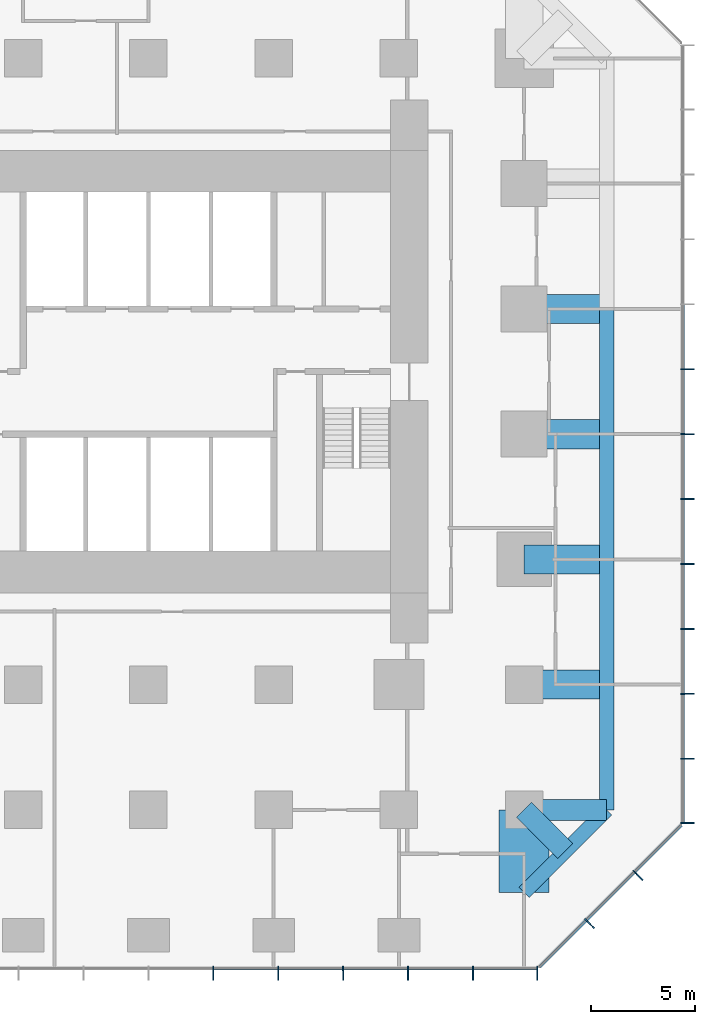
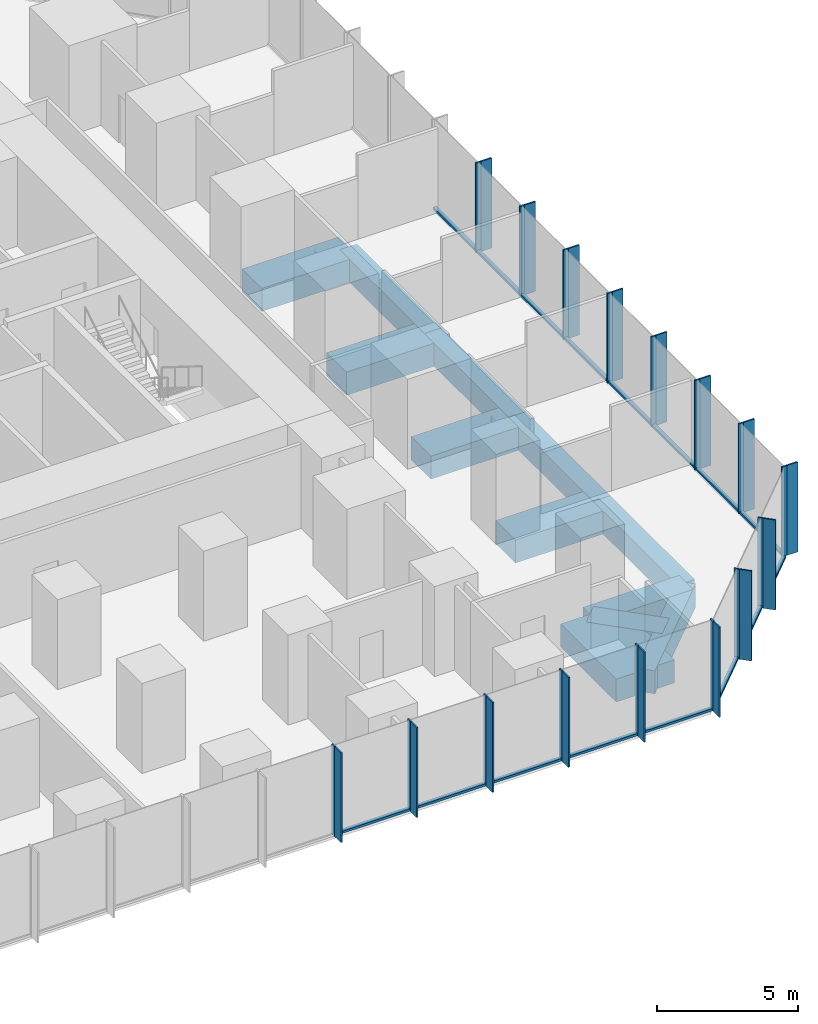
# One storey, part 4 of 12: 48 members, 12 beams, 3 elements without a shape of their own.
"""IFC4 building model written with IfcOpenShell, lengths in metres."""

from ifc_helpers import new_model, si_unit, direction, frame, origin, origin_2d, place, context, subcontext, project, spatial, rectangle, extrude, material, layer, layer_set, material_profile, profile_set, type_object, element, aggregate, save


model = new_model("IFC4")

# Units and contexts
model_context = context("Model", 3, precision=1e-05, world=origin(), true_north=direction((0.0, 1.0)))
body_context = subcontext(model_context, "Body", "Model", "MODEL_VIEW")
ifc_project = project(units=[si_unit("LENGTHUNIT", "METRE"), si_unit("AREAUNIT", "SQUARE_METRE"), si_unit("VOLUMEUNIT", "CUBIC_METRE"), si_unit("PLANEANGLEUNIT", "RADIAN"), si_unit("MASSUNIT", "GRAM", prefix="KILO")], contexts=[model_context])

# Site, building, storey
site_placement = place(None, origin())
site = spatial("IfcSite", under=ifc_project, at=site_placement, CompositionType="ELEMENT")
building_placement = place(site_placement, origin())
building = spatial("IfcBuilding", under=site, at=building_placement, Name="Highveld Stack Headquarters", CompositionType="ELEMENT")
storey_placement = place(building_placement, frame((0.0, 0.0, 41.60009765625)))
storey = spatial("IfcBuildingStorey", under=building, at=storey_placement, Name="L09", CompositionType="ELEMENT", Elevation=41.60009765625)

# Beams
ifc_material_1 = material(Name="Concrete C60/75", Category="concrete")
ifc_material_profile_1 = material_profile(ifc_material_1, rectangle(XDim=1.0, YDim=1.0, at=origin_2d()), Name="RC 1000x1000")
ifc_profile_set_1 = profile_set([ifc_material_profile_1], Name="Concrete C60/75")
beam_type_1 = type_object("IfcBeamType", Name="CANTILEVER RIB RC 1000x1000", PredefinedType="USERDEFINED", material=ifc_profile_set_1)
beam_1_placement = place(storey_placement, frame((24.0, -18.0, -0.75), z_axis=(1.0, 0.0, 0.0), x_axis=(0.0, 1.0, 0.0)))
element("IfcBeam", 1, at=beam_1_placement, inside=storey, type_object=beam_type_1, Name="Cantilever rib 10/B L09", ObjectType="CANTILEVER RIB", PredefinedType="USERDEFINED", context=body_context, shape_type="SweptSolid", body=[
    extrude(rectangle(XDim=1.0, YDim=1.0, at=origin_2d()), origin(), (0.0, 0.0, 1.0), 3.949951171875),
])
beam_2_placement = place(storey_placement, frame((24.0, -18.0, -0.75), z_axis=(0.707106781187, -0.707106781187, 0.0), x_axis=(0.707106781187, 0.707106781187, 0.0)))
element("IfcBeam", 2, at=beam_2_placement, inside=storey, type_object=beam_type_1, Name="Cantilever rib 10/B L09", ObjectType="CANTILEVER RIB", PredefinedType="USERDEFINED", context=body_context, shape_type="SweptSolid", body=[
    extrude(rectangle(XDim=1.0, YDim=1.0, at=origin_2d()), origin(), (0.0, 0.0, 1.0), 2.793212890625),
])
ifc_material_2 = material(Name="Concrete C60/75", Category="concrete")
ifc_material_profile_2 = material_profile(ifc_material_2, rectangle(XDim=1.39990234375, YDim=1.0, at=origin_2d()), Name="RC 1400x1000")
ifc_profile_set_2 = profile_set([ifc_material_profile_2], Name="Concrete C60/75")
beam_type_2 = type_object("IfcBeamType", Name="CANTILEVER RIB RC 1400x1000", PredefinedType="USERDEFINED", material=ifc_profile_set_2)
for number, where, z_axis, x_axis, name in (
    (3, (24.0, -12.0, -0.75), (1.0, 0.0, 0.0), (0.0, 1.0, 0.0), "Cantilever rib 10/C L09"),
    (4, (24.0, -6.0, -0.75), (1.0, 0.0, 0.0), (0.0, 1.0, 0.0), "Cantilever rib 10/D L09"),
    (5, (24.0, 0.0, -0.75), (1.0, 0.0, 0.0), (0.0, 1.0, 0.0), "Cantilever rib 10/E L09"),
    (6, (24.0, 6.0, -0.75), (1.0, 0.0, 0.0), (0.0, 1.0, 0.0), "Cantilever rib 10/F L09"),
):
    element("IfcBeam", number, at=place(storey_placement, frame(where, z_axis=z_axis, x_axis=x_axis)), inside=storey, type_object=beam_type_2, Name=name, ObjectType="CANTILEVER RIB", PredefinedType="USERDEFINED", context=body_context, shape_type="SweptSolid", body=[
        extrude(rectangle(XDim=1.39990234375, YDim=1.0, at=origin_2d()), origin(), (0.0, 0.0, 1.0), 3.949951171875),
    ])
ifc_material_3 = material(Name="Concrete C60/75", Category="concrete")
ifc_material_profile_3 = material_profile(ifc_material_3, rectangle(XDim=2.39990234375, YDim=1.0, at=origin_2d()), Name="RC 2400x1000")
ifc_profile_set_3 = profile_set([ifc_material_profile_3], Name="Concrete C60/75")
beam_type_3 = type_object("IfcBeamType", Name="CANTILEVER RIB RC 2400x1000", PredefinedType="USERDEFINED", material=ifc_profile_set_3)
beam_3_placement = place(storey_placement, frame((24.0, -18.0, -0.75), z_axis=(0.0, -1.0, 0.0), x_axis=(1.0, 0.0, 0.0)))
element("IfcBeam", 7, at=beam_3_placement, inside=storey, type_object=beam_type_3, Name="Cantilever rib 10/B L09", ObjectType="CANTILEVER RIB", PredefinedType="USERDEFINED", context=body_context, shape_type="SweptSolid", body=[
    extrude(rectangle(XDim=2.39990234375, YDim=1.0, at=origin_2d()), origin(), (0.0, 0.0, 1.0), 3.949951171875),
])

# Curtain wall, members
ifc_material_4 = material(Name="Aluminium bronze anodised", Category="aluminium")
ifc_layer_1 = layer(ifc_material_4, 0.199951171875)
ifc_layer_set_1 = layer_set([ifc_layer_1], Name="Aluminium bronze anodised")
curtain_wall_type_1 = type_object("IfcCurtainWallType", Name="CW1 TOWER UNITISED CURTAIN WALL", PredefinedType="NOTDEFINED", material=ifc_layer_set_1)
curtain_wall_1_placement = place(storey_placement, origin())
curtain_wall_1 = element("IfcCurtainWall", 8, at=curtain_wall_1_placement, inside=storey, type_object=curtain_wall_type_1, Name="Curtain wall CW1 L09 S", PredefinedType="NOTDEFINED")
ifc_material_5 = material(Name="Aluminium bronze anodised", Category="aluminium")
ifc_material_profile_4 = material_profile(ifc_material_5, rectangle(XDim=0.449951171875, YDim=0.06005859375, at=origin_2d()), Name="FIN 450x60")
ifc_profile_set_4 = profile_set([ifc_material_profile_4], Name="Aluminium bronze anodised")
member_type_1 = type_object("IfcMemberType", Name="CW1 BRONZE FIN 450x60", PredefinedType="USERDEFINED", material=ifc_profile_set_4)
member_1_placement = place(storey_placement, frame((9.110595703125, -25.925048828125, 0.0), z_axis=(0.0, 0.0, 1.0), x_axis=(0.0, 1.0, 0.0)))
member_1 = element("IfcMember", 9, at=member_1_placement, type_object=member_type_1, Name="CW1 fin L09 8", ObjectType="FIN", PredefinedType="USERDEFINED", context=body_context, shape_type="SweptSolid", body=[
    extrude(rectangle(XDim=0.449951171875, YDim=0.06005859375, at=origin_2d()), origin(), (0.0, 0.0, 1.0), 3.89990234375),
])
member_2_placement = place(storey_placement, frame((12.220947265625, -25.925048828125, 0.0), z_axis=(0.0, 0.0, 1.0), x_axis=(0.0, 1.0, 0.0)))
member_2 = element("IfcMember", 10, at=member_2_placement, type_object=member_type_1, Name="CW1 fin L09 9", ObjectType="FIN", PredefinedType="USERDEFINED", context=body_context, shape_type="SweptSolid", body=[
    extrude(rectangle(XDim=0.449951171875, YDim=0.06005859375, at=origin_2d()), origin(), (0.0, 0.0, 1.0), 3.89990234375),
])
member_3_placement = place(storey_placement, frame((15.331298828125, -25.925048828125, 0.0), z_axis=(0.0, 0.0, 1.0), x_axis=(0.0, 1.0, 0.0)))
member_3 = element("IfcMember", 11, at=member_3_placement, type_object=member_type_1, Name="CW1 fin L09 10", ObjectType="FIN", PredefinedType="USERDEFINED", context=body_context, shape_type="SweptSolid", body=[
    extrude(rectangle(XDim=0.449951171875, YDim=0.06005859375, at=origin_2d()), origin(), (0.0, 0.0, 1.0), 3.89990234375),
])
member_4_placement = place(storey_placement, frame((18.44189453125, -25.925048828125, 0.0), z_axis=(0.0, 0.0, 1.0), x_axis=(0.0, 1.0, 0.0)))
member_4 = element("IfcMember", 12, at=member_4_placement, type_object=member_type_1, Name="CW1 fin L09 11", ObjectType="FIN", PredefinedType="USERDEFINED", context=body_context, shape_type="SweptSolid", body=[
    extrude(rectangle(XDim=0.449951171875, YDim=0.06005859375, at=origin_2d()), origin(), (0.0, 0.0, 1.0), 3.89990234375),
])
member_5_placement = place(storey_placement, frame((21.55224609375, -25.925048828125, 0.0), z_axis=(0.0, 0.0, 1.0), x_axis=(0.0, 1.0, 0.0)))
member_5 = element("IfcMember", 13, at=member_5_placement, type_object=member_type_1, Name="CW1 fin L09 12", ObjectType="FIN", PredefinedType="USERDEFINED", context=body_context, shape_type="SweptSolid", body=[
    extrude(rectangle(XDim=0.449951171875, YDim=0.06005859375, at=origin_2d()), origin(), (0.0, 0.0, 1.0), 3.89990234375),
])
member_6_placement = place(storey_placement, frame((24.630126953125, -25.925048828125, 0.0), z_axis=(0.0, 0.0, 1.0), x_axis=(0.0, 1.0, 0.0)))
member_6 = element("IfcMember", 14, at=member_6_placement, type_object=member_type_1, Name="CW1 fin L09 13", ObjectType="FIN", PredefinedType="USERDEFINED", context=body_context, shape_type="SweptSolid", body=[
    extrude(rectangle(XDim=0.449951171875, YDim=0.06005859375, at=origin_2d()), origin(), (0.0, 0.0, 1.0), 3.89990234375),
])

curtain_wall_2_placement = place(storey_placement, origin())
curtain_wall_2 = element("IfcCurtainWall", 15, at=curtain_wall_2_placement, inside=storey, type_object=curtain_wall_type_1, Name="Curtain wall CW1 L09 E", PredefinedType="NOTDEFINED")
member_7_placement = place(storey_placement, frame((31.925048828125, -18.630126953125, 0.0), z_axis=(0.0, 0.0, 1.0), x_axis=(-1.0, 0.0, 0.0)))
member_7 = element("IfcMember", 16, at=member_7_placement, type_object=member_type_1, Name="CW1 fin L09 1", ObjectType="FIN", PredefinedType="USERDEFINED", context=body_context, shape_type="SweptSolid", body=[
    extrude(rectangle(XDim=0.449951171875, YDim=0.06005859375, at=origin_2d()), origin(), (0.0, 0.0, 1.0), 3.89990234375),
])
member_8_placement = place(storey_placement, frame((31.925048828125, -15.55224609375, 0.0), z_axis=(0.0, 0.0, 1.0), x_axis=(-1.0, 0.0, 0.0)))
member_8 = element("IfcMember", 17, at=member_8_placement, type_object=member_type_1, Name="CW1 fin L09 2", ObjectType="FIN", PredefinedType="USERDEFINED", context=body_context, shape_type="SweptSolid", body=[
    extrude(rectangle(XDim=0.449951171875, YDim=0.06005859375, at=origin_2d()), origin(), (0.0, 0.0, 1.0), 3.89990234375),
])
member_9_placement = place(storey_placement, frame((31.925048828125, -12.44189453125, 0.0), z_axis=(0.0, 0.0, 1.0), x_axis=(-1.0, 0.0, 0.0)))
member_9 = element("IfcMember", 18, at=member_9_placement, type_object=member_type_1, Name="CW1 fin L09 3", ObjectType="FIN", PredefinedType="USERDEFINED", context=body_context, shape_type="SweptSolid", body=[
    extrude(rectangle(XDim=0.449951171875, YDim=0.06005859375, at=origin_2d()), origin(), (0.0, 0.0, 1.0), 3.89990234375),
])
member_10_placement = place(storey_placement, frame((31.925048828125, -9.331298828125, 0.0), z_axis=(0.0, 0.0, 1.0), x_axis=(-1.0, 0.0, 0.0)))
member_10 = element("IfcMember", 19, at=member_10_placement, type_object=member_type_1, Name="CW1 fin L09 4", ObjectType="FIN", PredefinedType="USERDEFINED", context=body_context, shape_type="SweptSolid", body=[
    extrude(rectangle(XDim=0.449951171875, YDim=0.06005859375, at=origin_2d()), origin(), (0.0, 0.0, 1.0), 3.89990234375),
])
member_11_placement = place(storey_placement, frame((31.925048828125, -6.220947265625, 0.0), z_axis=(0.0, 0.0, 1.0), x_axis=(-1.0, 0.0, 0.0)))
member_11 = element("IfcMember", 20, at=member_11_placement, type_object=member_type_1, Name="CW1 fin L09 5", ObjectType="FIN", PredefinedType="USERDEFINED", context=body_context, shape_type="SweptSolid", body=[
    extrude(rectangle(XDim=0.449951171875, YDim=0.06005859375, at=origin_2d()), origin(), (0.0, 0.0, 1.0), 3.89990234375),
])
member_12_placement = place(storey_placement, frame((31.925048828125, -3.110595703125, 0.0), z_axis=(0.0, 0.0, 1.0), x_axis=(-1.0, 0.0, 0.0)))
member_12 = element("IfcMember", 21, at=member_12_placement, type_object=member_type_1, Name="CW1 fin L09 6", ObjectType="FIN", PredefinedType="USERDEFINED", context=body_context, shape_type="SweptSolid", body=[
    extrude(rectangle(XDim=0.449951171875, YDim=0.06005859375, at=origin_2d()), origin(), (0.0, 0.0, 1.0), 3.89990234375),
])
member_13_placement = place(storey_placement, frame((31.925048828125, 0.0, 0.0), z_axis=(0.0, 0.0, 1.0), x_axis=(-1.0, 0.0, 0.0)))
member_13 = element("IfcMember", 22, at=member_13_placement, type_object=member_type_1, Name="CW1 fin L09 7", ObjectType="FIN", PredefinedType="USERDEFINED", context=body_context, shape_type="SweptSolid", body=[
    extrude(rectangle(XDim=0.449951171875, YDim=0.06005859375, at=origin_2d()), origin(), (0.0, 0.0, 1.0), 3.89990234375),
])
member_14_placement = place(storey_placement, frame((31.925048828125, 3.110595703125, 0.0), z_axis=(0.0, 0.0, 1.0), x_axis=(-1.0, 0.0, 0.0)))
member_14 = element("IfcMember", 23, at=member_14_placement, type_object=member_type_1, Name="CW1 fin L09 8", ObjectType="FIN", PredefinedType="USERDEFINED", context=body_context, shape_type="SweptSolid", body=[
    extrude(rectangle(XDim=0.449951171875, YDim=0.06005859375, at=origin_2d()), origin(), (0.0, 0.0, 1.0), 3.89990234375),
])

# Member
ifc_material_6 = material(Name="Aluminium bronze anodised", Category="aluminium")
ifc_material_profile_5 = material_profile(ifc_material_6, rectangle(XDim=0.199951171875, YDim=0.06494140625, at=origin_2d()), Name="CW1 MULLION 65x200")
ifc_profile_set_5 = profile_set([ifc_material_profile_5], Name="Aluminium bronze anodised")
member_type_2 = type_object("IfcMemberType", Name="CW1 MULLION 65x200", PredefinedType="MULLION", material=ifc_profile_set_5)
member_15_placement = place(storey_placement, frame((9.110595703125, -25.60009765625, 0.0), z_axis=(0.0, 0.0, 1.0), x_axis=(0.0, 1.0, 0.0)))
member_15 = element("IfcMember", 24, at=member_15_placement, type_object=member_type_2, Name="CW1 mullion L09 8", PredefinedType="MULLION", context=body_context, shape_type="SweptSolid", body=[
    extrude(rectangle(XDim=0.199951171875, YDim=0.06494140625, at=origin_2d()), origin(), (0.0, 0.0, 1.0), 3.89990234375),
])

member_16_placement = place(storey_placement, frame((12.220947265625, -25.60009765625, 0.0), z_axis=(0.0, 0.0, 1.0), x_axis=(0.0, 1.0, 0.0)))
member_16 = element("IfcMember", 25, at=member_16_placement, type_object=member_type_2, Name="CW1 mullion L09 9", PredefinedType="MULLION", context=body_context, shape_type="SweptSolid", body=[
    extrude(rectangle(XDim=0.199951171875, YDim=0.06494140625, at=origin_2d()), origin(), (0.0, 0.0, 1.0), 3.89990234375),
])

member_17_placement = place(storey_placement, frame((15.331298828125, -25.60009765625, 0.0), z_axis=(0.0, 0.0, 1.0), x_axis=(0.0, 1.0, 0.0)))
member_17 = element("IfcMember", 26, at=member_17_placement, type_object=member_type_2, Name="CW1 mullion L09 10", PredefinedType="MULLION", context=body_context, shape_type="SweptSolid", body=[
    extrude(rectangle(XDim=0.199951171875, YDim=0.06494140625, at=origin_2d()), origin(), (0.0, 0.0, 1.0), 3.89990234375),
])

member_18_placement = place(storey_placement, frame((18.44189453125, -25.60009765625, 0.0), z_axis=(0.0, 0.0, 1.0), x_axis=(0.0, 1.0, 0.0)))
member_18 = element("IfcMember", 27, at=member_18_placement, type_object=member_type_2, Name="CW1 mullion L09 11", PredefinedType="MULLION", context=body_context, shape_type="SweptSolid", body=[
    extrude(rectangle(XDim=0.199951171875, YDim=0.06494140625, at=origin_2d()), origin(), (0.0, 0.0, 1.0), 3.89990234375),
])

member_19_placement = place(storey_placement, frame((21.55224609375, -25.60009765625, 0.0), z_axis=(0.0, 0.0, 1.0), x_axis=(0.0, 1.0, 0.0)))
member_19 = element("IfcMember", 28, at=member_19_placement, type_object=member_type_2, Name="CW1 mullion L09 12", PredefinedType="MULLION", context=body_context, shape_type="SweptSolid", body=[
    extrude(rectangle(XDim=0.199951171875, YDim=0.06494140625, at=origin_2d()), origin(), (0.0, 0.0, 1.0), 3.89990234375),
])

member_20_placement = place(storey_placement, frame((24.630126953125, -25.60009765625, 0.0), z_axis=(0.0, 0.0, 1.0), x_axis=(0.0, 1.0, 0.0)))
member_20 = element("IfcMember", 29, at=member_20_placement, type_object=member_type_2, Name="CW1 mullion L09 13", PredefinedType="MULLION", context=body_context, shape_type="SweptSolid", body=[
    extrude(rectangle(XDim=0.199951171875, YDim=0.06494140625, at=origin_2d()), origin(), (0.0, 0.0, 1.0), 3.89990234375),
])

member_21_placement = place(storey_placement, frame((31.60009765625, -18.630126953125, 0.0), z_axis=(0.0, 0.0, 1.0), x_axis=(-1.0, 0.0, 0.0)))
member_21 = element("IfcMember", 30, at=member_21_placement, type_object=member_type_2, Name="CW1 mullion L09 1", PredefinedType="MULLION", context=body_context, shape_type="SweptSolid", body=[
    extrude(rectangle(XDim=0.199951171875, YDim=0.06494140625, at=origin_2d()), origin(), (0.0, 0.0, 1.0), 3.89990234375),
])

member_22_placement = place(storey_placement, frame((31.60009765625, -15.55224609375, 0.0), z_axis=(0.0, 0.0, 1.0), x_axis=(-1.0, 0.0, 0.0)))
member_22 = element("IfcMember", 31, at=member_22_placement, type_object=member_type_2, Name="CW1 mullion L09 2", PredefinedType="MULLION", context=body_context, shape_type="SweptSolid", body=[
    extrude(rectangle(XDim=0.199951171875, YDim=0.06494140625, at=origin_2d()), origin(), (0.0, 0.0, 1.0), 3.89990234375),
])

member_23_placement = place(storey_placement, frame((31.60009765625, -12.44189453125, 0.0), z_axis=(0.0, 0.0, 1.0), x_axis=(-1.0, 0.0, 0.0)))
member_23 = element("IfcMember", 32, at=member_23_placement, type_object=member_type_2, Name="CW1 mullion L09 3", PredefinedType="MULLION", context=body_context, shape_type="SweptSolid", body=[
    extrude(rectangle(XDim=0.199951171875, YDim=0.06494140625, at=origin_2d()), origin(), (0.0, 0.0, 1.0), 3.89990234375),
])

member_24_placement = place(storey_placement, frame((31.60009765625, -9.331298828125, 0.0), z_axis=(0.0, 0.0, 1.0), x_axis=(-1.0, 0.0, 0.0)))
member_24 = element("IfcMember", 33, at=member_24_placement, type_object=member_type_2, Name="CW1 mullion L09 4", PredefinedType="MULLION", context=body_context, shape_type="SweptSolid", body=[
    extrude(rectangle(XDim=0.199951171875, YDim=0.06494140625, at=origin_2d()), origin(), (0.0, 0.0, 1.0), 3.89990234375),
])

member_25_placement = place(storey_placement, frame((31.60009765625, -6.220947265625, 0.0), z_axis=(0.0, 0.0, 1.0), x_axis=(-1.0, 0.0, 0.0)))
member_25 = element("IfcMember", 34, at=member_25_placement, type_object=member_type_2, Name="CW1 mullion L09 5", PredefinedType="MULLION", context=body_context, shape_type="SweptSolid", body=[
    extrude(rectangle(XDim=0.199951171875, YDim=0.06494140625, at=origin_2d()), origin(), (0.0, 0.0, 1.0), 3.89990234375),
])

member_26_placement = place(storey_placement, frame((31.60009765625, -3.110595703125, 0.0), z_axis=(0.0, 0.0, 1.0), x_axis=(-1.0, 0.0, 0.0)))
member_26 = element("IfcMember", 35, at=member_26_placement, type_object=member_type_2, Name="CW1 mullion L09 6", PredefinedType="MULLION", context=body_context, shape_type="SweptSolid", body=[
    extrude(rectangle(XDim=0.199951171875, YDim=0.06494140625, at=origin_2d()), origin(), (0.0, 0.0, 1.0), 3.89990234375),
])

member_27_placement = place(storey_placement, frame((31.60009765625, 0.0, 0.0), z_axis=(0.0, 0.0, 1.0), x_axis=(-1.0, 0.0, 0.0)))
member_27 = element("IfcMember", 36, at=member_27_placement, type_object=member_type_2, Name="CW1 mullion L09 7", PredefinedType="MULLION", context=body_context, shape_type="SweptSolid", body=[
    extrude(rectangle(XDim=0.199951171875, YDim=0.06494140625, at=origin_2d()), origin(), (0.0, 0.0, 1.0), 3.89990234375),
])

member_28_placement = place(storey_placement, frame((31.60009765625, 3.110595703125, 0.0), z_axis=(0.0, 0.0, 1.0), x_axis=(-1.0, 0.0, 0.0)))
member_28 = element("IfcMember", 37, at=member_28_placement, type_object=member_type_2, Name="CW1 mullion L09 8", PredefinedType="MULLION", context=body_context, shape_type="SweptSolid", body=[
    extrude(rectangle(XDim=0.199951171875, YDim=0.06494140625, at=origin_2d()), origin(), (0.0, 0.0, 1.0), 3.89990234375),
])

ifc_material_7 = material(Name="Aluminium bronze anodised", Category="aluminium")
ifc_material_profile_6 = material_profile(ifc_material_7, rectangle(XDim=0.14990234375, YDim=0.10009765625, at=origin_2d()), Name="CW1 TRANSOM 150x100")
ifc_profile_set_6 = profile_set([ifc_material_profile_6], Name="Aluminium bronze anodised")
member_type_3 = type_object("IfcMemberType", Name="CW1 STACK TRANSOM 150x100", PredefinedType="USERDEFINED", material=ifc_profile_set_6)
member_29_placement = place(storey_placement, frame((9.14306640625, -25.60009765625, 0.0498046875), z_axis=(1.0, 0.0, 0.0), x_axis=(0.0, 1.0, 0.0)))
member_29 = element("IfcMember", 38, at=member_29_placement, type_object=member_type_3, Name="CW1 transom L09 8.1", ObjectType="TRANSOM", PredefinedType="USERDEFINED", context=body_context, shape_type="SweptSolid", body=[
    extrude(rectangle(XDim=0.14990234375, YDim=0.10009765625, at=origin_2d()), origin(), (0.0, 0.0, 1.0), 3.04541015625),
])

member_30_placement = place(storey_placement, frame((12.25341796875, -25.60009765625, 0.0498046875), z_axis=(1.0, 0.0, 0.0), x_axis=(0.0, 1.0, 0.0)))
member_30 = element("IfcMember", 39, at=member_30_placement, type_object=member_type_3, Name="CW1 transom L09 9.1", ObjectType="TRANSOM", PredefinedType="USERDEFINED", context=body_context, shape_type="SweptSolid", body=[
    extrude(rectangle(XDim=0.14990234375, YDim=0.10009765625, at=origin_2d()), origin(), (0.0, 0.0, 1.0), 3.04541015625),
])

member_31_placement = place(storey_placement, frame((15.364013671875, -25.60009765625, 0.0498046875), z_axis=(1.0, 0.0, 0.0), x_axis=(0.0, 1.0, 0.0)))
member_31 = element("IfcMember", 40, at=member_31_placement, type_object=member_type_3, Name="CW1 transom L09 10.1", ObjectType="TRANSOM", PredefinedType="USERDEFINED", context=body_context, shape_type="SweptSolid", body=[
    extrude(rectangle(XDim=0.14990234375, YDim=0.10009765625, at=origin_2d()), origin(), (0.0, 0.0, 1.0), 3.045166015625),
])

member_32_placement = place(storey_placement, frame((18.474365234375, -25.60009765625, 0.0498046875), z_axis=(1.0, 0.0, 0.0), x_axis=(0.0, 1.0, 0.0)))
member_32 = element("IfcMember", 41, at=member_32_placement, type_object=member_type_3, Name="CW1 transom L09 11.1", ObjectType="TRANSOM", PredefinedType="USERDEFINED", context=body_context, shape_type="SweptSolid", body=[
    extrude(rectangle(XDim=0.14990234375, YDim=0.10009765625, at=origin_2d()), origin(), (0.0, 0.0, 1.0), 3.04541015625),
])

member_33_placement = place(storey_placement, frame((21.584716796875, -25.60009765625, 0.0498046875), z_axis=(1.0, 0.0, 0.0), x_axis=(0.0, 1.0, 0.0)))
member_33 = element("IfcMember", 42, at=member_33_placement, type_object=member_type_3, Name="CW1 transom L09 12.1", ObjectType="TRANSOM", PredefinedType="USERDEFINED", context=body_context, shape_type="SweptSolid", body=[
    extrude(rectangle(XDim=0.14990234375, YDim=0.10009765625, at=origin_2d()), origin(), (0.0, 0.0, 1.0), 3.012939453125),
])

aggregate(curtain_wall_1, [member_15, member_1, member_16, member_2, member_17, member_3, member_18, member_4, member_19, member_5, member_20, member_6, member_29, member_30, member_31, member_32, member_33])

member_34_placement = place(storey_placement, frame((31.60009765625, -18.59765625, 0.0498046875), z_axis=(0.0, 1.0, 0.0), x_axis=(-1.0, 0.0, 0.0)))
member_34 = element("IfcMember", 43, at=member_34_placement, type_object=member_type_3, Name="CW1 transom L09 1.1", ObjectType="TRANSOM", PredefinedType="USERDEFINED", context=body_context, shape_type="SweptSolid", body=[
    extrude(rectangle(XDim=0.14990234375, YDim=0.10009765625, at=origin_2d()), origin(), (0.0, 0.0, 1.0), 3.012939453125),
])

member_35_placement = place(storey_placement, frame((31.60009765625, -15.519775390625, 0.0498046875), z_axis=(0.0, 1.0, 0.0), x_axis=(-1.0, 0.0, 0.0)))
member_35 = element("IfcMember", 44, at=member_35_placement, type_object=member_type_3, Name="CW1 transom L09 2.1", ObjectType="TRANSOM", PredefinedType="USERDEFINED", context=body_context, shape_type="SweptSolid", body=[
    extrude(rectangle(XDim=0.14990234375, YDim=0.10009765625, at=origin_2d()), origin(), (0.0, 0.0, 1.0), 3.04541015625),
])

member_36_placement = place(storey_placement, frame((31.60009765625, -12.4091796875, 0.0498046875), z_axis=(0.0, 1.0, 0.0), x_axis=(-1.0, 0.0, 0.0)))
member_36 = element("IfcMember", 45, at=member_36_placement, type_object=member_type_3, Name="CW1 transom L09 3.1", ObjectType="TRANSOM", PredefinedType="USERDEFINED", context=body_context, shape_type="SweptSolid", body=[
    extrude(rectangle(XDim=0.14990234375, YDim=0.10009765625, at=origin_2d()), origin(), (0.0, 0.0, 1.0), 3.045166015625),
])

member_37_placement = place(storey_placement, frame((31.60009765625, -9.298828125, 0.0498046875), z_axis=(0.0, 1.0, 0.0), x_axis=(-1.0, 0.0, 0.0)))
member_37 = element("IfcMember", 46, at=member_37_placement, type_object=member_type_3, Name="CW1 transom L09 4.1", ObjectType="TRANSOM", PredefinedType="USERDEFINED", context=body_context, shape_type="SweptSolid", body=[
    extrude(rectangle(XDim=0.14990234375, YDim=0.10009765625, at=origin_2d()), origin(), (0.0, 0.0, 1.0), 3.04541015625),
])

member_38_placement = place(storey_placement, frame((31.60009765625, -6.1884765625, 0.0498046875), z_axis=(0.0, 1.0, 0.0), x_axis=(-1.0, 0.0, 0.0)))
member_38 = element("IfcMember", 47, at=member_38_placement, type_object=member_type_3, Name="CW1 transom L09 5.1", ObjectType="TRANSOM", PredefinedType="USERDEFINED", context=body_context, shape_type="SweptSolid", body=[
    extrude(rectangle(XDim=0.14990234375, YDim=0.10009765625, at=origin_2d()), origin(), (0.0, 0.0, 1.0), 3.04541015625),
])

member_39_placement = place(storey_placement, frame((31.60009765625, -3.077880859375, 0.0498046875), z_axis=(0.0, 1.0, 0.0), x_axis=(-1.0, 0.0, 0.0)))
member_39 = element("IfcMember", 48, at=member_39_placement, type_object=member_type_3, Name="CW1 transom L09 6.1", ObjectType="TRANSOM", PredefinedType="USERDEFINED", context=body_context, shape_type="SweptSolid", body=[
    extrude(rectangle(XDim=0.14990234375, YDim=0.10009765625, at=origin_2d()), origin(), (0.0, 0.0, 1.0), 3.04541015625),
])

member_40_placement = place(storey_placement, frame((31.60009765625, 0.032470703125, 0.0498046875), z_axis=(0.0, 1.0, 0.0), x_axis=(-1.0, 0.0, 0.0)))
member_40 = element("IfcMember", 49, at=member_40_placement, type_object=member_type_3, Name="CW1 transom L09 7.1", ObjectType="TRANSOM", PredefinedType="USERDEFINED", context=body_context, shape_type="SweptSolid", body=[
    extrude(rectangle(XDim=0.14990234375, YDim=0.10009765625, at=origin_2d()), origin(), (0.0, 0.0, 1.0), 3.04541015625),
])

member_41_placement = place(storey_placement, frame((31.60009765625, 3.142822265625, 0.0498046875), z_axis=(0.0, 1.0, 0.0), x_axis=(-1.0, 0.0, 0.0)))
member_41 = element("IfcMember", 50, at=member_41_placement, type_object=member_type_3, Name="CW1 transom L09 8.1", ObjectType="TRANSOM", PredefinedType="USERDEFINED", context=body_context, shape_type="SweptSolid", body=[
    extrude(rectangle(XDim=0.14990234375, YDim=0.10009765625, at=origin_2d()), origin(), (0.0, 0.0, 1.0), 3.045654296875),
])

aggregate(curtain_wall_2, [member_21, member_7, member_22, member_8, member_23, member_9, member_24, member_10, member_25, member_11, member_26, member_12, member_27, member_13, member_28, member_14, member_34, member_35, member_36, member_37, member_38, member_39, member_40, member_41])

# Curtain wall, members
ifc_material_8 = material(Name="Aluminium bronze anodised", Category="aluminium")
ifc_layer_2 = layer(ifc_material_8, 0.199951171875)
ifc_layer_set_2 = layer_set([ifc_layer_2], Name="Aluminium bronze anodised")
curtain_wall_type_2 = type_object("IfcCurtainWallType", Name="CW2 TOWER CHAMFER UNITISED CURTAIN WALL", PredefinedType="NOTDEFINED", material=ifc_layer_set_2)
curtain_wall_3_placement = place(storey_placement, origin())
curtain_wall_3 = element("IfcCurtainWall", 51, at=curtain_wall_3_placement, inside=storey, type_object=curtain_wall_type_2, Name="Curtain wall CW2 L09 SE", PredefinedType="NOTDEFINED")
ifc_material_9 = material(Name="Aluminium bronze anodised", Category="aluminium")
ifc_material_profile_7 = material_profile(ifc_material_9, rectangle(XDim=0.449951171875, YDim=0.06005859375, at=origin_2d()), Name="FIN 450x60")
ifc_profile_set_7 = profile_set([ifc_material_profile_7], Name="Aluminium bronze anodised")
member_type_4 = type_object("IfcMemberType", Name="CW2 BRONZE FIN 450x60", PredefinedType="USERDEFINED", material=ifc_profile_set_7)
member_42_placement = place(storey_placement, frame((27.204833984375, -23.517333984375, 0.0), z_axis=(0.0, 0.0, 1.0), x_axis=(-0.707106781187, 0.707106781187, 0.0)))
member_42 = element("IfcMember", 52, at=member_42_placement, type_object=member_type_4, Name="CW2 fin L09 1", ObjectType="FIN", PredefinedType="USERDEFINED", context=body_context, shape_type="SweptSolid", body=[
    extrude(rectangle(XDim=0.449951171875, YDim=0.06005859375, at=origin_2d()), origin(), (0.0, 0.0, 1.0), 3.89990234375),
])
member_43_placement = place(storey_placement, frame((29.517333984375, -21.204833984375, 0.0), z_axis=(0.0, 0.0, 1.0), x_axis=(-0.707106781187, 0.707106781187, 0.0)))
member_43 = element("IfcMember", 53, at=member_43_placement, type_object=member_type_4, Name="CW2 fin L09 2", ObjectType="FIN", PredefinedType="USERDEFINED", context=body_context, shape_type="SweptSolid", body=[
    extrude(rectangle(XDim=0.449951171875, YDim=0.06005859375, at=origin_2d()), origin(), (0.0, 0.0, 1.0), 3.89990234375),
])
ifc_material_10 = material(Name="Aluminium bronze anodised", Category="aluminium")
ifc_material_profile_8 = material_profile(ifc_material_10, rectangle(XDim=0.199951171875, YDim=0.06494140625, at=origin_2d()), Name="CW2 MULLION 65x200")
ifc_profile_set_8 = profile_set([ifc_material_profile_8], Name="Aluminium bronze anodised")
member_type_5 = type_object("IfcMemberType", Name="CW2 MULLION 65x200", PredefinedType="MULLION", material=ifc_profile_set_8)
member_44_placement = place(storey_placement, frame((26.97509765625, -23.28759765625, 0.0), z_axis=(0.0, 0.0, 1.0), x_axis=(-0.707106781187, 0.707106781187, 0.0)))
member_44 = element("IfcMember", 54, at=member_44_placement, type_object=member_type_5, Name="CW2 mullion L09 1", PredefinedType="MULLION", context=body_context, shape_type="SweptSolid", body=[
    extrude(rectangle(XDim=0.199951171875, YDim=0.06494140625, at=origin_2d()), origin(), (0.0, 0.0, 1.0), 3.89990234375),
])
member_45_placement = place(storey_placement, frame((29.28759765625, -20.97509765625, 0.0), z_axis=(0.0, 0.0, 1.0), x_axis=(-0.707106781187, 0.707106781187, 0.0)))
member_45 = element("IfcMember", 55, at=member_45_placement, type_object=member_type_5, Name="CW2 mullion L09 2", PredefinedType="MULLION", context=body_context, shape_type="SweptSolid", body=[
    extrude(rectangle(XDim=0.199951171875, YDim=0.06494140625, at=origin_2d()), origin(), (0.0, 0.0, 1.0), 3.89990234375),
])
ifc_material_11 = material(Name="Aluminium bronze anodised", Category="aluminium")
ifc_material_profile_9 = material_profile(ifc_material_11, rectangle(XDim=0.14990234375, YDim=0.10009765625, at=origin_2d()), Name="CW2 TRANSOM 150x100")
ifc_profile_set_9 = profile_set([ifc_material_profile_9], Name="Aluminium bronze anodised")
member_type_6 = type_object("IfcMemberType", Name="CW2 STACK TRANSOM 150x100", PredefinedType="USERDEFINED", material=ifc_profile_set_9)
member_46_placement = place(storey_placement, frame((24.7333984375, -25.529296875, 0.0498046875), z_axis=(0.707106781187, 0.707106781187, 0.0), x_axis=(-0.707106781187, 0.707106781187, 0.0)))
member_46 = element("IfcMember", 56, at=member_46_placement, type_object=member_type_6, Name="CW2 transom L09 1.1", ObjectType="TRANSOM", PredefinedType="USERDEFINED", context=body_context, shape_type="SweptSolid", body=[
    extrude(rectangle(XDim=0.14990234375, YDim=0.10009765625, at=origin_2d()), origin(), (0.0, 0.0, 1.0), 3.1376953125),
])
member_47_placement = place(storey_placement, frame((26.998046875, -23.2646484375, 0.0498046875), z_axis=(0.707106781187, 0.707106781187, 0.0), x_axis=(-0.707106781187, 0.707106781187, 0.0)))
member_47 = element("IfcMember", 57, at=member_47_placement, type_object=member_type_6, Name="CW2 transom L09 2.1", ObjectType="TRANSOM", PredefinedType="USERDEFINED", context=body_context, shape_type="SweptSolid", body=[
    extrude(rectangle(XDim=0.14990234375, YDim=0.10009765625, at=origin_2d()), origin(), (0.0, 0.0, 1.0), 3.20556640625),
])
member_48_placement = place(storey_placement, frame((29.310546875, -20.9521484375, 0.0498046875), z_axis=(0.707106781187, 0.707106781187, 0.0), x_axis=(-0.707106781187, 0.707106781187, 0.0)))
member_48 = element("IfcMember", 58, at=member_48_placement, type_object=member_type_6, Name="CW2 transom L09 3.1", ObjectType="TRANSOM", PredefinedType="USERDEFINED", context=body_context, shape_type="SweptSolid", body=[
    extrude(rectangle(XDim=0.14990234375, YDim=0.10009765625, at=origin_2d()), origin(), (0.0, 0.0, 1.0), 3.1376953125),
])
aggregate(curtain_wall_3, [member_44, member_42, member_45, member_43, member_46, member_47, member_48])

# Beams
ifc_material_12 = material(Name="Concrete C60/75", Category="concrete")
ifc_material_profile_10 = material_profile(ifc_material_12, rectangle(XDim=0.699951171875, YDim=1.0, at=origin_2d()), Name="RC 700x1000")
ifc_profile_set_10 = profile_set([ifc_material_profile_10], Name="Concrete C60/75")
beam_type_4 = type_object("IfcBeamType", Name="RIB TIP BEAM RC 700x1000", PredefinedType="SPANDREL", material=ifc_profile_set_10)
for number, where, z_axis, x_axis, name in (
    (59, (27.949951171875, -18.0, -0.75), (0.0, 1.0, 0.0), (-1.0, 0.0, 0.0), "Rib tip beam 10/B to 10/C L09"),
    (60, (27.949951171875, -12.0, -0.75), (0.0, 1.0, 0.0), (-1.0, 0.0, 0.0), "Rib tip beam 10/C to 10/D L09"),
    (61, (27.949951171875, -6.0, -0.75), (0.0, 1.0, 0.0), (-1.0, 0.0, 0.0), "Rib tip beam 10/D to 10/E L09"),
    (62, (27.949951171875, 0.0, -0.75), (0.0, 1.0, 0.0), (-1.0, 0.0, 0.0), "Rib tip beam 10/E to 10/F L09"),
):
    element("IfcBeam", number, at=place(storey_placement, frame(where, z_axis=z_axis, x_axis=x_axis)), inside=storey, type_object=beam_type_4, Name=name, PredefinedType="SPANDREL", context=body_context, shape_type="SweptSolid", body=[
        extrude(rectangle(XDim=0.699951171875, YDim=1.0, at=origin_2d()), origin(), (0.0, 0.0, 1.0), 6.0),
    ])
beam_4_placement = place(storey_placement, frame((27.949951171875, -18.0, -0.75), z_axis=(-0.707106781187, -0.707106781187, 0.0), x_axis=(0.707106781187, -0.707106781187, 0.0)))
element("IfcBeam", 63, at=beam_4_placement, inside=storey, type_object=beam_type_4, Name="Rib tip beam 10/B corner L09", PredefinedType="SPANDREL", context=body_context, shape_type="SweptSolid", body=[
    extrude(rectangle(XDim=0.699951171875, YDim=1.0, at=origin_2d()), origin(), (0.0, 0.0, 1.0), 5.586181640625),
])

save(model, "model.ifc")
